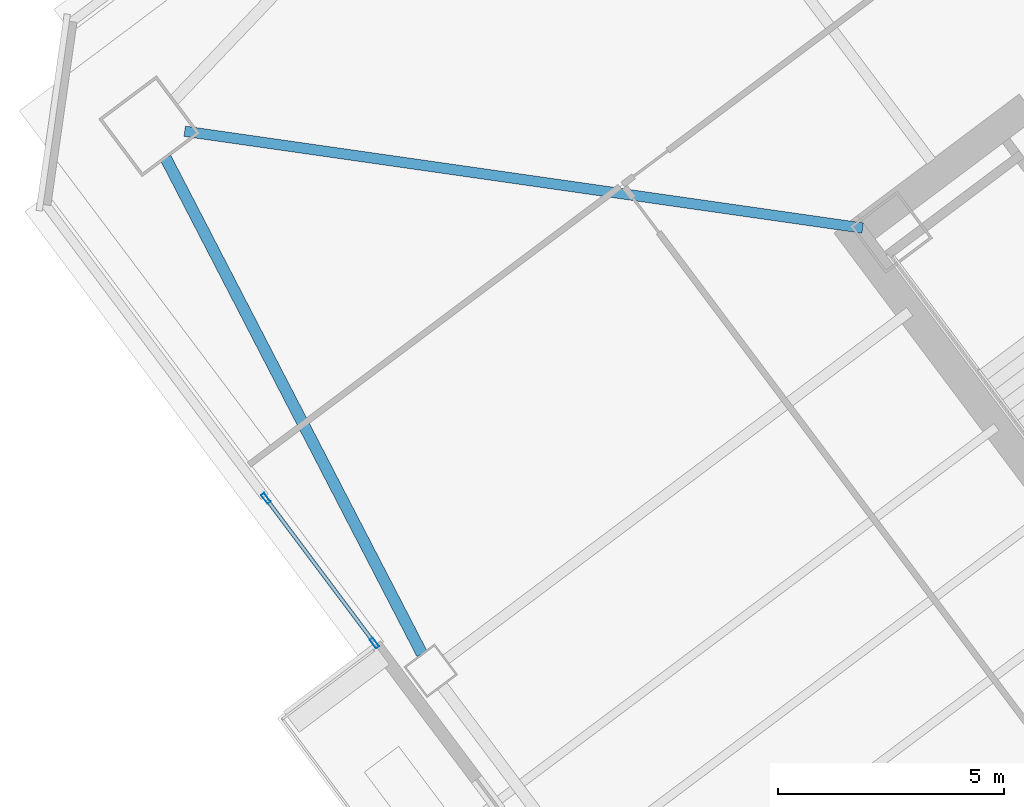
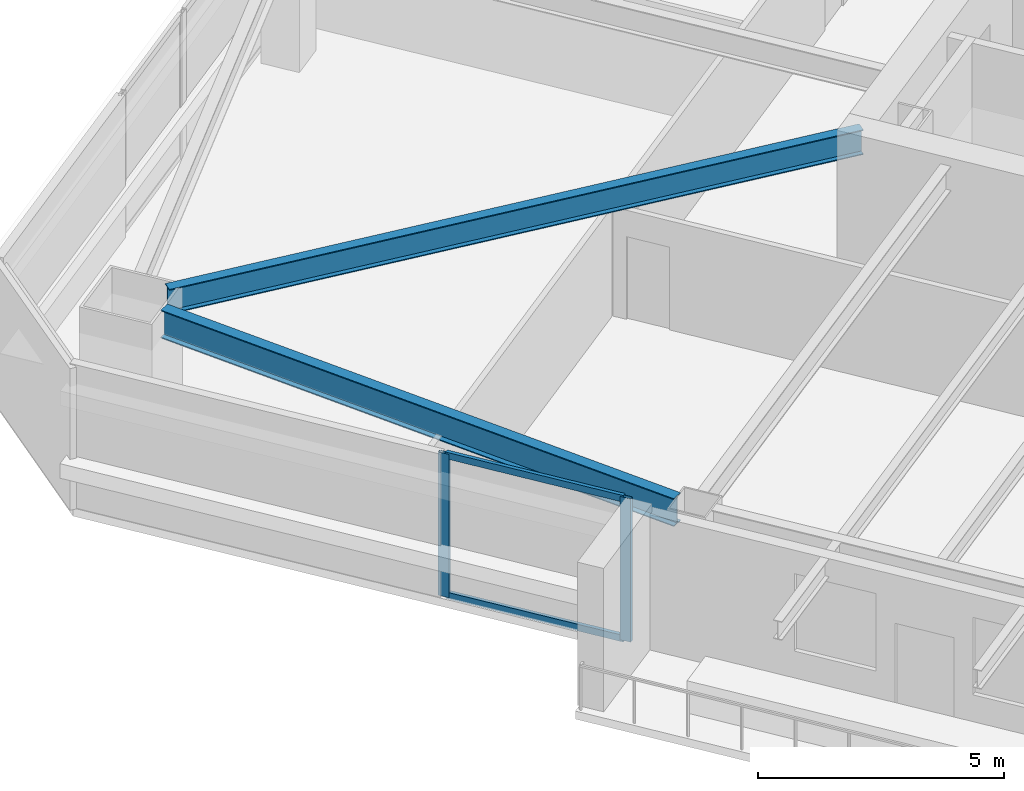
# One storey, part 21 of 48: 4 members, 2 beams, 1 element without a shape of its own.
"""IFC4 building model written with IfcOpenShell, lengths in metres."""

from ifc_helpers import new_model, si_unit, direction, frame, origin, origin_2d, place, context, subcontext, project, spatial, hollow_rectangle, i_section, extrude, material, material_profile, profile_set, type_object, element, aggregate, save


model = new_model("IFC4")

# Units and contexts
model_context = context("Model", 3, precision=1e-05, world=origin(), true_north=direction((0.0, 1.0)))
body_context = subcontext(model_context, "Body", "Model", "MODEL_VIEW")
ifc_project = project(units=[si_unit("LENGTHUNIT", "METRE"), si_unit("AREAUNIT", "SQUARE_METRE"), si_unit("VOLUMEUNIT", "CUBIC_METRE"), si_unit("PLANEANGLEUNIT", "RADIAN"), si_unit("MASSUNIT", "GRAM", prefix="KILO")], contexts=[model_context])

# Site, building, storey
site_placement = place(None, origin())
site = spatial("IfcSite", under=ifc_project, at=site_placement, CompositionType="ELEMENT")
building_placement = place(site_placement, origin())
building = spatial("IfcBuilding", under=site, at=building_placement, Name="Tashvorn Skyway Center", CompositionType="ELEMENT")
storey_placement = place(building_placement, frame((0.0, 0.0, 56.550048828125)))
storey = spatial("IfcBuildingStorey", under=building, at=storey_placement, Name="L14", CompositionType="ELEMENT", Elevation=56.550048828125)

# Beams
ifc_material_1 = material(Name="Steel ASTM A992 Grade 50", Category="steel")
ifc_material_profile_1 = material_profile(ifc_material_1, i_section(OverallWidth=0.22998046875, OverallDepth=0.616943359375, WebThickness=0.01318359375, FlangeThickness=0.022216796875, at=origin_2d()), Name="W24X94")
ifc_profile_set_1 = profile_set([ifc_material_profile_1], Name="Steel ASTM A992 Grade 50")
beam_type_1 = type_object("IfcBeamType", Name="BM-BEAM-W24X94", PredefinedType="BEAM", material=ifc_profile_set_1)
beam_1_placement = place(storey_placement, frame((88.467041015625, 35.6474609375, 3.04150390625), z_axis=(0.989950458816, -0.141414599991, 0.0), x_axis=(0.141414599991, 0.989950458816, 0.0)))
element("IfcBeam", 1, at=beam_1_placement, inside=storey, type_object=beam_type_1, Name="Tower 2 L14 Primary Floor Girder MC-NW", PredefinedType="BEAM", context=body_context, shape_type="SweptSolid", body=[
    extrude(i_section(OverallWidth=0.22998046875, OverallDepth=0.616943359375, WebThickness=0.01318359375, FlangeThickness=0.022216796875, at=origin_2d()), origin(), (0.0, 0.0, 1.0), 15.177001953125),
])
ifc_material_profile_2 = material_profile(ifc_material_1, i_section(OverallWidth=0.256103515625, OverallDepth=0.693115234375, WebThickness=0.014404296875, FlangeThickness=0.023681640625, at=origin_2d()), Name="W27X114")
ifc_profile_set_2 = profile_set([ifc_material_profile_2], Name="Steel ASTM A992 Grade 50")
beam_type_2 = type_object("IfcBeamType", Name="BM-SPANDREL-W27X114", PredefinedType="SPANDREL", material=ifc_profile_set_2)
beam_2_placement = place(storey_placement, frame((88.045166015625, 35.0537109375, 3.00341796875), z_axis=(0.459233413919, -0.888315637339, 0.0), x_axis=(0.888315637339, 0.459233413919, 0.0)))
element("IfcBeam", 2, at=beam_2_placement, inside=storey, type_object=beam_type_2, Name="Tower 2 L14 Spandrel Beam 10", PredefinedType="SPANDREL", context=body_context, shape_type="SweptSolid", body=[
    extrude(i_section(OverallWidth=0.256103515625, OverallDepth=0.693115234375, WebThickness=0.014404296875, FlangeThickness=0.023681640625, at=origin_2d()), origin(), (0.0, 0.0, 1.0), 12.37255859375),
])

# Curtain wall, members
ifc_material_2 = material(Name="Thermally broken bronze-anodized aluminium 6063-T6", Category="aluminium")
curtain_wall_type = type_object("IfcCurtainWallType", Name="CW-CW-Z1", PredefinedType="NOTDEFINED", material=ifc_material_2)
curtain_wall_placement = place(storey_placement, origin())
curtain_wall = element("IfcCurtainWall", 3, at=curtain_wall_placement, inside=storey, type_object=curtain_wall_type, Name="Tower 2 L14 West Curtain Wall R Glazing Group 1", PredefinedType="NOTDEFINED")
ifc_material_profile_3 = material_profile(ifc_material_2, hollow_rectangle(XDim=0.0849609375, YDim=0.239990234375, WallThickness=0.0048828125, at=origin_2d()), Name="ALU-MULL-85x240")
ifc_profile_set_3 = profile_set([ifc_material_profile_3], Name="Thermally broken bronze-anodized aluminium 6063-T6")
member_type_1 = type_object("IfcMemberType", Name="CWM-CW-Z1", PredefinedType="MULLION", material=ifc_profile_set_3)
member_1_placement = place(storey_placement, frame((92.67041015625, 24.305908203125, 0.0), z_axis=(0.0, 0.0, 1.0), x_axis=(-0.800002931566, -0.599996091225, 0.0)))
member_1 = element("IfcMember", 4, at=member_1_placement, type_object=member_type_1, Name="CW-Z1 mullion 1", PredefinedType="MULLION", context=body_context, shape_type="SweptSolid", body=[
    extrude(hollow_rectangle(XDim=0.0849609375, YDim=0.239990234375, WallThickness=0.0048828125, at=origin_2d()), origin(), (0.0, 0.0, 1.0), 3.550048828125),
])
member_2_placement = place(storey_placement, frame((90.265380859375, 27.5126953125, 0.0), z_axis=(0.0, 0.0, 1.0), x_axis=(-0.800002931566, -0.599996091225, 0.0)))
member_2 = element("IfcMember", 5, at=member_2_placement, type_object=member_type_1, Name="CW-Z1 mullion 2", PredefinedType="MULLION", context=body_context, shape_type="SweptSolid", body=[
    extrude(hollow_rectangle(XDim=0.0849609375, YDim=0.239990234375, WallThickness=0.0048828125, at=origin_2d()), origin(), (0.0, 0.0, 1.0), 3.550048828125),
])
ifc_material_profile_4 = material_profile(ifc_material_2, hollow_rectangle(XDim=0.0849609375, YDim=0.1650390625, WallThickness=0.0048828125, at=origin_2d()), Name="ALU-TRAN-85x165")
ifc_profile_set_4 = profile_set([ifc_material_profile_4], Name="Thermally broken bronze-anodized aluminium 6063-T6")
member_type_2 = type_object("IfcMemberType", Name="CWT-CW-Z1", PredefinedType="USERDEFINED", material=ifc_profile_set_4)
member_3_placement = place(storey_placement, frame((92.64501953125, 24.340087890625, 0.04248046875), z_axis=(-0.6, 0.8, 0.0), x_axis=(-0.8, -0.6, 0.0)))
member_3 = element("IfcMember", 6, at=member_3_placement, type_object=member_type_2, Name="CW-Z1 transom 1.1", ObjectType="TRANSOM", PredefinedType="USERDEFINED", context=body_context, shape_type="SweptSolid", body=[
    extrude(hollow_rectangle(XDim=0.0849609375, YDim=0.1650390625, WallThickness=0.0048828125, at=origin_2d()), origin(), (0.0, 0.0, 1.0), 3.92333984375),
])
member_4_placement = place(storey_placement, frame((92.64501953125, 24.340087890625, 3.507568359375), z_axis=(-0.6, 0.8, 0.0), x_axis=(-0.8, -0.6, 0.0)))
member_4 = element("IfcMember", 7, at=member_4_placement, type_object=member_type_2, Name="CW-Z1 transom 1.2", ObjectType="TRANSOM", PredefinedType="USERDEFINED", context=body_context, shape_type="SweptSolid", body=[
    extrude(hollow_rectangle(XDim=0.0849609375, YDim=0.1650390625, WallThickness=0.0048828125, at=origin_2d()), origin(), (0.0, 0.0, 1.0), 3.92333984375),
])
aggregate(curtain_wall, [member_1, member_2, member_3, member_4])

save(model, "model.ifc")
